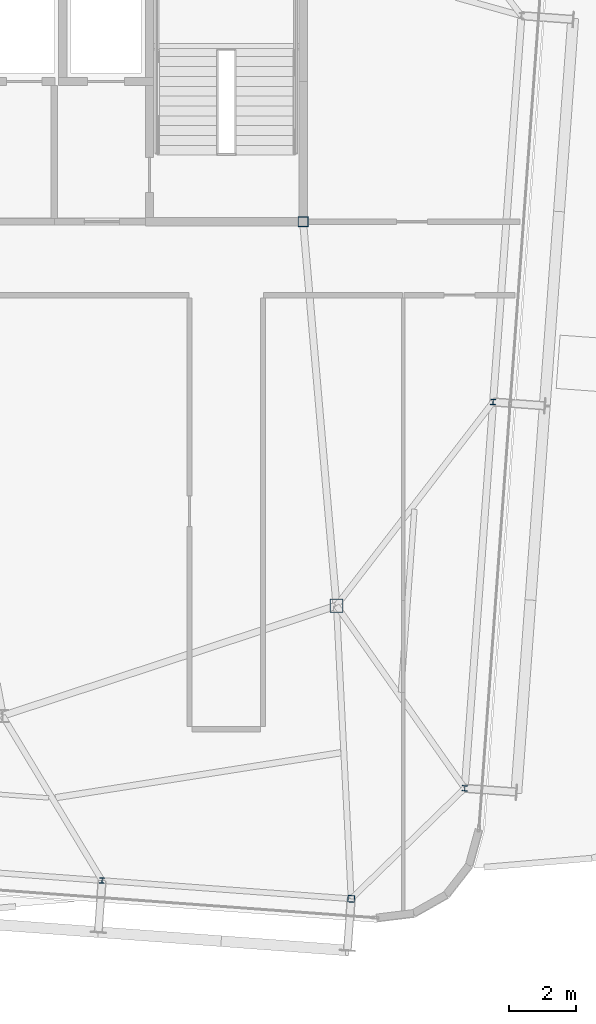
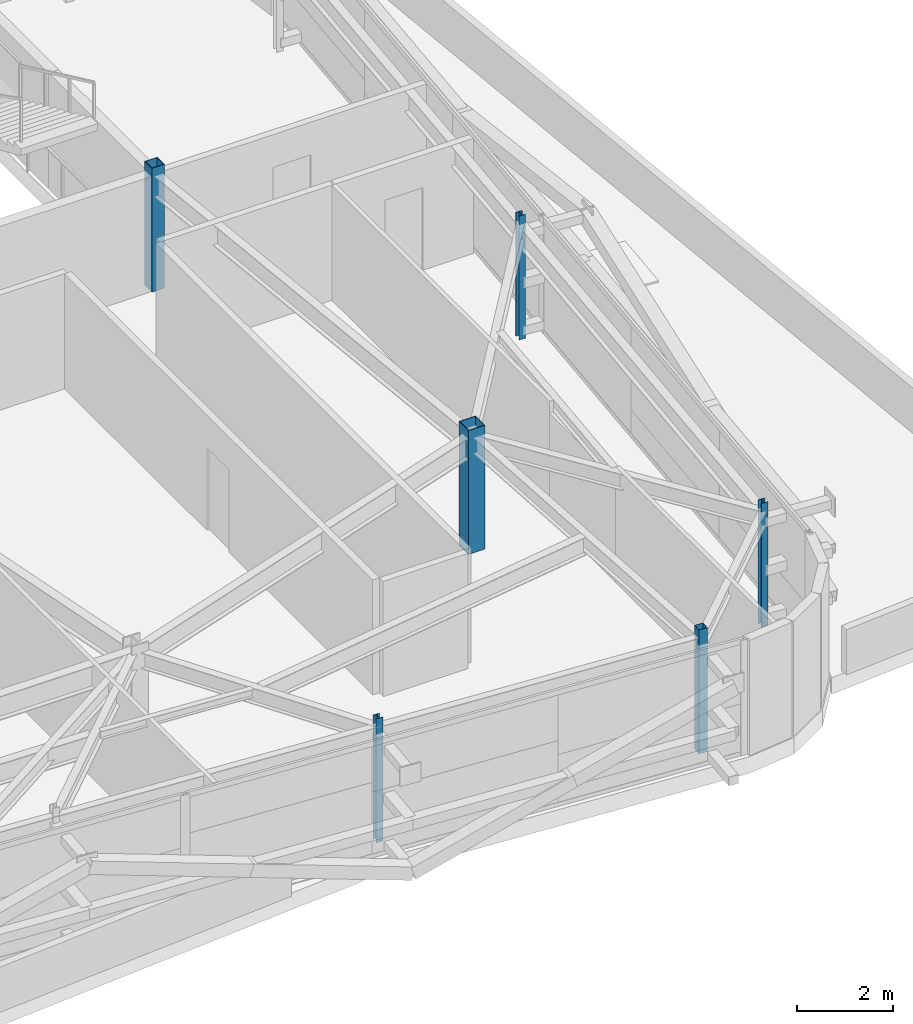
# One storey, part 5 of 37: 6 columns.
"""IFC4 building model written with IfcOpenShell, lengths in metres."""

from ifc_helpers import new_model, si_unit, direction, frame, origin, origin_2d, place, context, subcontext, project, spatial, hollow_rectangle, i_section, extrude, source, transform, mapped, material, material_profile, profile_set, type_object, element, save


model = new_model("IFC4")

# Units and contexts
model_context = context("Model", 3, precision=1e-05, world=origin(), true_north=direction((0.0, 1.0)))
body_context = subcontext(model_context, "Body", "Model", "MODEL_VIEW")
ifc_project = project(units=[si_unit("LENGTHUNIT", "METRE"), si_unit("AREAUNIT", "SQUARE_METRE"), si_unit("VOLUMEUNIT", "CUBIC_METRE"), si_unit("PLANEANGLEUNIT", "RADIAN"), si_unit("MASSUNIT", "GRAM", prefix="KILO")], contexts=[model_context])

# Site, building, storey
site_placement = place(None, origin())
site = spatial("IfcSite", under=ifc_project, at=site_placement, CompositionType="ELEMENT")
building_placement = place(site_placement, origin())
building = spatial("IfcBuilding", under=site, at=building_placement, Name="Taldren Reach Tower", CompositionType="ELEMENT")
storey_placement = place(building_placement, frame((0.0, 0.0, 211.39990234375)))
storey = spatial("IfcBuildingStorey", under=building, at=storey_placement, Name="L64", CompositionType="ELEMENT", Elevation=211.39990234375)

# Columns
ifc_material_1 = material(Name="Steel Gr 450 (C450L0)", Category="steel")
ifc_material_profile_1 = material_profile(ifc_material_1, hollow_rectangle(XDim=0.39990234375, YDim=0.39990234375, WallThickness=0.01611328125, at=origin_2d()), Name="400x400x16.0SHS")
ifc_profile_set_1 = profile_set([ifc_material_profile_1], Name="Steel Gr 450 (C450L0)")
column_type_1 = type_object("IfcColumnType", Name="COL-SHS400", PredefinedType="COLUMN", material=ifc_profile_set_1)
shared_shape_1 = source(origin(), body_context, "Body", "SweptSolid", [
    extrude(hollow_rectangle(XDim=0.39990234375, YDim=0.39990234375, WallThickness=0.01611328125, at=origin_2d()), origin(), (0.0, 0.0, 1.0), 3.150146484375),
])
column_1_placement = place(storey_placement, frame((52.0, 12.5, 0.0), z_axis=(0.0, 0.0, 1.0), x_axis=(1.0, 0.0, 0.0)))
element("IfcColumn", 1, at=column_1_placement, inside=storey, type_object=column_type_1, Name="Mega column MC-SE L64", PredefinedType="COLUMN", context=body_context, shape_type="MappedRepresentation", body=[
    mapped(shared_shape_1, transform((0.0, 0.0, 0.0), scale=1.0)),
])
ifc_material_profile_2 = material_profile(ifc_material_1, hollow_rectangle(XDim=0.300048828125, YDim=0.300048828125, WallThickness=0.012451171875, at=origin_2d()), Name="300x300x12.5SHS")
ifc_profile_set_2 = profile_set([ifc_material_profile_2], Name="Steel Gr 450 (C450L0)")
column_type_2 = type_object("IfcColumnType", Name="COL-SHS300", PredefinedType="COLUMN", material=ifc_profile_set_2)
shared_shape_2 = source(origin(), body_context, "Body", "SweptSolid", [
    extrude(hollow_rectangle(XDim=0.300048828125, YDim=0.300048828125, WallThickness=0.012451171875, at=origin_2d()), origin(), (0.0, 0.0, 1.0), 3.150146484375),
])
column_2_placement = place(storey_placement, frame((51.0, 24.0, 0.0), z_axis=(0.0, 0.0, 1.0), x_axis=(1.0, 0.0, 0.0)))
element("IfcColumn", 2, at=column_2_placement, inside=storey, type_object=column_type_2, Name="Mega column MC-C4 L64", PredefinedType="COLUMN", context=body_context, shape_type="MappedRepresentation", body=[
    mapped(shared_shape_2, transform((0.0, 0.0, 0.0), scale=1.0)),
])
ifc_material_2 = material(Name="Steel Gr 350 (C350L0)", Category="steel")
ifc_material_profile_3 = material_profile(ifc_material_2, hollow_rectangle(XDim=0.199951171875, YDim=0.199951171875, WallThickness=0.009033203125, at=origin_2d()), Name="200x200x9.0SHS")
ifc_profile_set_3 = profile_set([ifc_material_profile_3], Name="Steel Gr 350 (C350L0)")
column_type_3 = type_object("IfcColumnType", Name="COL-SHS200", PredefinedType="COLUMN", material=ifc_profile_set_3)
shared_shape_3 = source(origin(), body_context, "Body", "SweptSolid", [
    extrude(hollow_rectangle(XDim=0.199951171875, YDim=0.199951171875, WallThickness=0.009033203125, at=origin_2d()), origin(), (0.0, 0.0, 1.0), 3.150146484375),
])
column_3_placement = place(storey_placement, frame((52.440185546875, 3.72119140625, 0.0), z_axis=(0.0, 0.0, 1.0), x_axis=(0.997314477224, -0.073238197128, 0.0)))
element("IfcColumn", 3, at=column_3_placement, inside=storey, type_object=column_type_3, Name="Block B5 perimeter column S6 L64", PredefinedType="COLUMN", context=body_context, shape_type="MappedRepresentation", body=[
    mapped(shared_shape_3, transform((0.0, 0.0, 0.0), scale=1.0)),
])
ifc_material_3 = material(Name="Steel Gr 350 (350PLUS)", Category="steel")
ifc_material_profile_4 = material_profile(ifc_material_3, i_section(OverallWidth=0.154052734375, OverallDepth=0.162109375, WebThickness=0.008056640625, FlangeThickness=0.011474609375, at=origin_2d()), Name="150UC37.2")
ifc_profile_set_4 = profile_set([ifc_material_profile_4], Name="Steel Gr 350 (350PLUS)")
column_type_4 = type_object("IfcColumnType", Name="COL-UC150", PredefinedType="COLUMN", material=ifc_profile_set_4)
shared_shape_4 = source(origin(), body_context, "Body", "SweptSolid", [
    extrude(i_section(OverallWidth=0.154052734375, OverallDepth=0.162109375, WebThickness=0.008056640625, FlangeThickness=0.011474609375, at=origin_2d()), origin(), (0.0, 0.0, 1.0), 3.150146484375),
])
for number, where, z_axis, x_axis, name in (
    (4, (44.980224609375, 4.26904296875, 0.0), (0.0, 0.0, 1.0), (0.997314477224, -0.073238197128, 0.0), "Block B5 perimeter column S5 L64"),
    (5, (55.841796875, 7.031005859375, 0.0), (0.0, 0.0, 1.0), (0.997314477224, -0.073238197128, 0.0), "Block B5 perimeter column E1 L64"),
    (6, (56.69140625, 18.599853515625, 0.0), (0.0, 0.0, 1.0), (0.997314477224, -0.073238197128, 0.0), "Block B5 perimeter column E2 L64"),
):
    element("IfcColumn", number, at=place(storey_placement, frame(where, z_axis=z_axis, x_axis=x_axis)), inside=storey, type_object=column_type_4, Name=name, PredefinedType="COLUMN", context=body_context, shape_type="MappedRepresentation", body=[
        mapped(shared_shape_4, transform((0.0, 0.0, 0.0), scale=1.0)),
    ])

save(model, "model.ifc")
